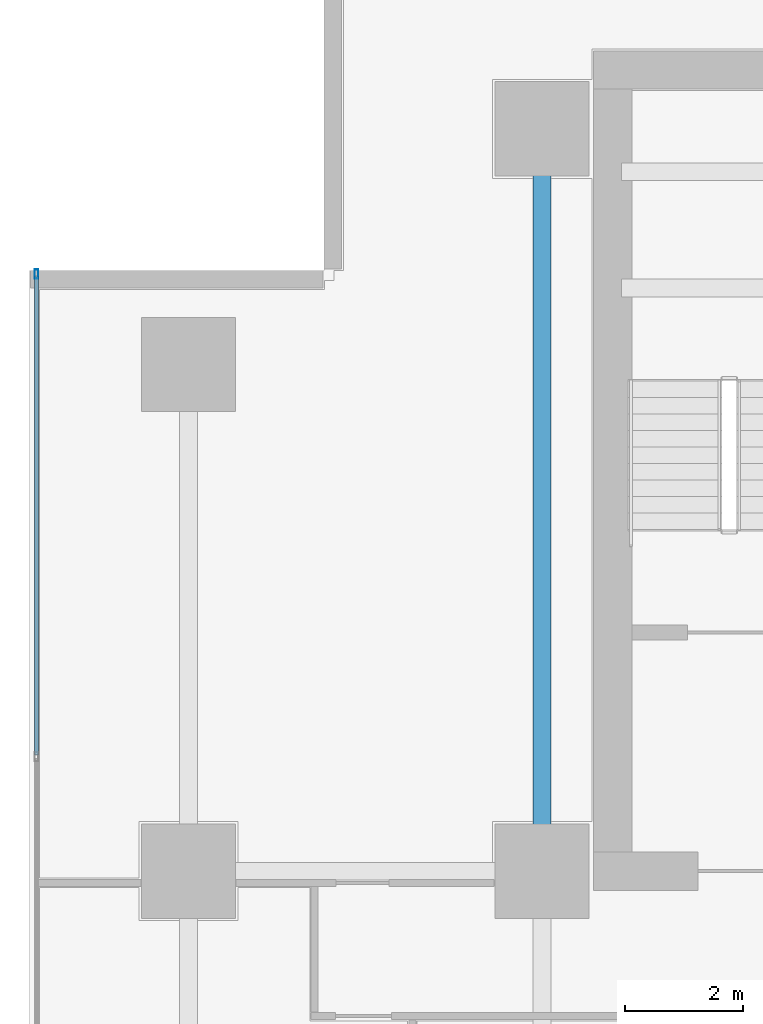
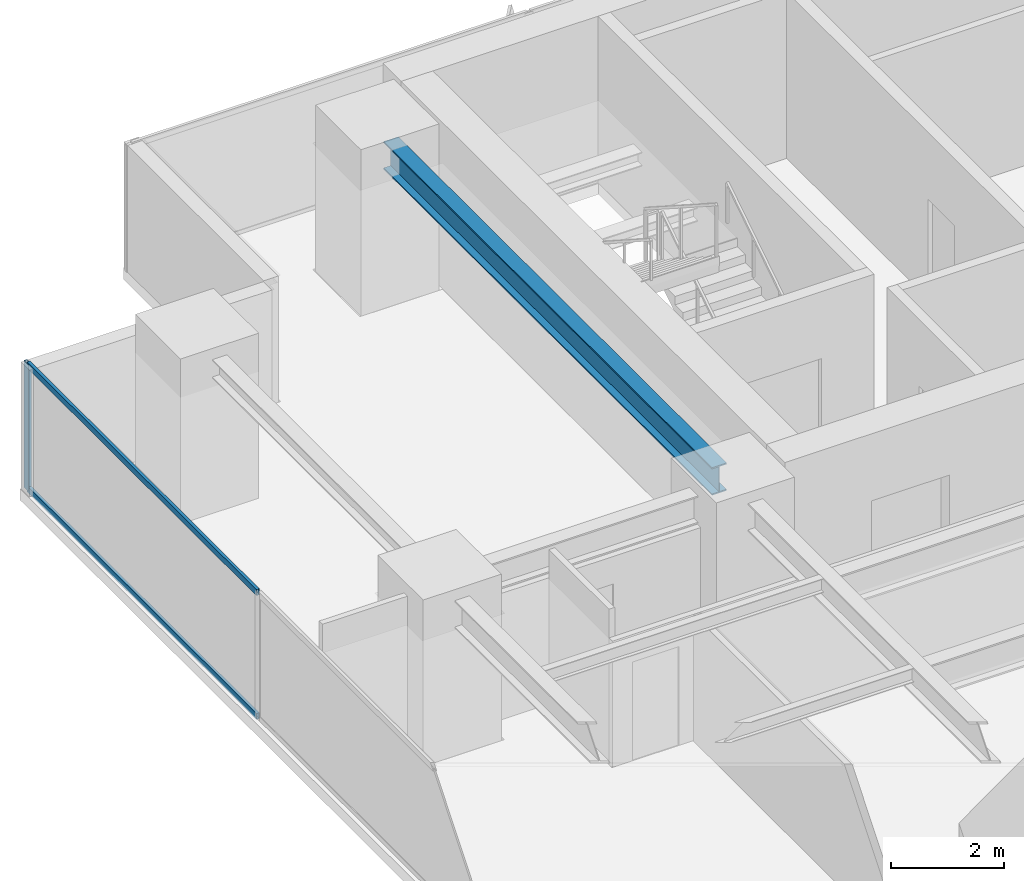
# One storey, part 18 of 37: 3 members, 1 beam, 1 element without a shape of its own.
"""IFC4 building model written with IfcOpenShell, lengths in metres."""

from ifc_helpers import new_model, si_unit, direction, frame, origin, origin_2d, place, context, subcontext, project, spatial, hollow_rectangle, i_section, extrude, source, transform, mapped, material, layer, layer_set, material_profile, profile_set, type_object, element, aggregate, save


model = new_model("IFC4")

# Units and contexts
model_context = context("Model", 3, precision=1e-05, world=origin(), true_north=direction((0.0, 1.0)))
body_context = subcontext(model_context, "Body", "Model", "MODEL_VIEW")
ifc_project = project(units=[si_unit("LENGTHUNIT", "METRE"), si_unit("AREAUNIT", "SQUARE_METRE"), si_unit("VOLUMEUNIT", "CUBIC_METRE"), si_unit("PLANEANGLEUNIT", "RADIAN"), si_unit("MASSUNIT", "GRAM", prefix="KILO")], contexts=[model_context])

# Site, building, storey
site_placement = place(None, origin())
site = spatial("IfcSite", under=ifc_project, at=site_placement, CompositionType="ELEMENT")
building_placement = place(site_placement, origin())
building = spatial("IfcBuilding", under=site, at=building_placement, Name="Sumidabori Civic Tower", CompositionType="ELEMENT")
storey_placement = place(building_placement, frame((0.0, 0.0, 81.199951171875)))
storey = spatial("IfcBuildingStorey", under=building, at=storey_placement, Name="L20", CompositionType="ELEMENT", Elevation=81.199951171875)

# Beam
ifc_material_1 = material(Name="Steel SN490", Category="steel")
ifc_material_profile_1 = material_profile(ifc_material_1, i_section(OverallWidth=0.300048828125, OverallDepth=0.60009765625, WebThickness=0.015380859375, FlangeThickness=0.030029296875, at=origin_2d()), Name="HE 600 B")
ifc_profile_set_1 = profile_set([ifc_material_profile_1], Name="Steel SN490")
beam_type = type_object("IfcBeamType", Name="BM-GIRD-600", PredefinedType="BEAM", material=ifc_profile_set_1)
shared_shape_1 = source(origin(), body_context, "Body", "SweptSolid", [
    extrude(i_section(OverallWidth=0.300048828125, OverallDepth=0.60009765625, WebThickness=0.015380859375, FlangeThickness=0.030029296875, at=origin_2d()), origin(), (0.0, 0.0, 1.0), 11.64013671875),
])
beam_placement = place(storey_placement, frame((-16.800048828125, 10.679931640625, 3.06005859375), z_axis=(0.0, 1.0, 0.0), x_axis=(-1.0, 0.0, 0.0)))
element("IfcBeam", 1, at=beam_placement, inside=storey, type_object=beam_type, Name="Primary Girder L20 GY-28", PredefinedType="BEAM", context=body_context, shape_type="MappedRepresentation", body=[
    mapped(shared_shape_1, transform((0.0, 0.0, 0.0), x_axis=(1.0, 0.0, 0.0), y_axis=(0.0, 1.0, 0.0), z_axis=(0.0, 0.0, 1.0), scale=1.0)),
])

# Curtain wall, members
ifc_material_2 = material(Name="Anodised Bronze Aluminium AW-6063-T6", Category="aluminium")
ifc_layer = layer(ifc_material_2, 0.179931640625, Name="Anodised Bronze Aluminium AW-6063-T6")
ifc_layer_set = layer_set([ifc_layer], Name="Anodised Bronze Aluminium AW-6063-T6")
curtain_wall_type = type_object("IfcCurtainWallType", Name="CW-SYS-3", PredefinedType="NOTDEFINED", material=ifc_layer_set)
curtain_wall_placement = place(storey_placement, origin())
curtain_wall = element("IfcCurtainWall", 2, at=curtain_wall_placement, inside=storey, type_object=curtain_wall_type, Name="Curtain Wall CW:L20:R10", PredefinedType="NOTDEFINED")
ifc_material_profile_2 = material_profile(ifc_material_2, hollow_rectangle(XDim=0.06494140625, YDim=0.159912109375, WallThickness=0.0048828125, at=origin_2d()), Name="ALU MULLION 160x65")
ifc_profile_set_2 = profile_set([ifc_material_profile_2], Name="Anodised Bronze Aluminium AW-6063-T6")
member_type_1 = type_object("IfcMemberType", Name="CW-MUL-160", PredefinedType="MULLION", material=ifc_profile_set_2)
shared_shape_2 = source(origin(), body_context, "Body", "SweptSolid", [
    extrude(hollow_rectangle(XDim=0.06494140625, YDim=0.159912109375, WallThickness=0.0048828125, at=origin_2d()), origin(), (0.0, 0.0, 1.0), 2.739990234375),
])
member_1_placement = place(storey_placement, frame((-25.3798828125, 20.33740234375, 0.0), z_axis=(0.0, 0.0, 1.0), x_axis=(1.0, 0.0, 0.0)))
member_1 = element("IfcMember", 3, at=member_1_placement, type_object=member_type_1, Name="CW-3 mullion 1", PredefinedType="MULLION", context=body_context, shape_type="MappedRepresentation", body=[
    mapped(shared_shape_2, transform((0.0, 0.0, 0.0), x_axis=(1.0, 0.0, 0.0), y_axis=(0.0, 1.0, 0.0), z_axis=(0.0, 0.0, 1.0), scale=1.0)),
])
ifc_material_profile_3 = material_profile(ifc_material_2, hollow_rectangle(XDim=0.06005859375, YDim=0.1298828125, WallThickness=0.0048828125, at=origin_2d()), Name="ALU TRANSOM 130x60")
ifc_profile_set_3 = profile_set([ifc_material_profile_3], Name="Anodised Bronze Aluminium AW-6063-T6")
member_type_2 = type_object("IfcMemberType", Name="CW-TRN-130", PredefinedType="USERDEFINED", material=ifc_profile_set_3)
shared_shape_3 = source(origin(), body_context, "Body", "SweptSolid", [
    extrude(hollow_rectangle(XDim=0.06005859375, YDim=0.1298828125, WallThickness=0.0048828125, at=origin_2d()), origin(), (0.0, 0.0, 1.0), 8.13037109375),
])
member_2_placement = place(storey_placement, frame((-25.3798828125, 20.304931640625, 0.030029296875), z_axis=(0.0, -1.0, 0.0), x_axis=(1.0, 0.0, 0.0)))
member_2 = element("IfcMember", 4, at=member_2_placement, type_object=member_type_2, Name="CW-3 transom 1.1", ObjectType="TRANSOM", PredefinedType="USERDEFINED", context=body_context, shape_type="MappedRepresentation", body=[
    mapped(shared_shape_3, transform((0.0, 0.0, 0.0), x_axis=(1.0, 0.0, 0.0), y_axis=(0.0, 1.0, 0.0), z_axis=(0.0, 0.0, 1.0), scale=1.0)),
])
member_3_placement = place(storey_placement, frame((-25.3798828125, 20.304931640625, 2.7099609375), z_axis=(0.0, -1.0, 0.0), x_axis=(1.0, 0.0, 0.0)))
member_3 = element("IfcMember", 5, at=member_3_placement, type_object=member_type_2, Name="CW-3 transom 1.2", ObjectType="TRANSOM", PredefinedType="USERDEFINED", context=body_context, shape_type="MappedRepresentation", body=[
    mapped(shared_shape_3, transform((0.0, 0.0, 0.0), x_axis=(1.0, 0.0, 0.0), y_axis=(0.0, 1.0, 0.0), z_axis=(0.0, 0.0, 1.0), scale=1.0)),
])
aggregate(curtain_wall, [member_1, member_2, member_3])

save(model, "model.ifc")
